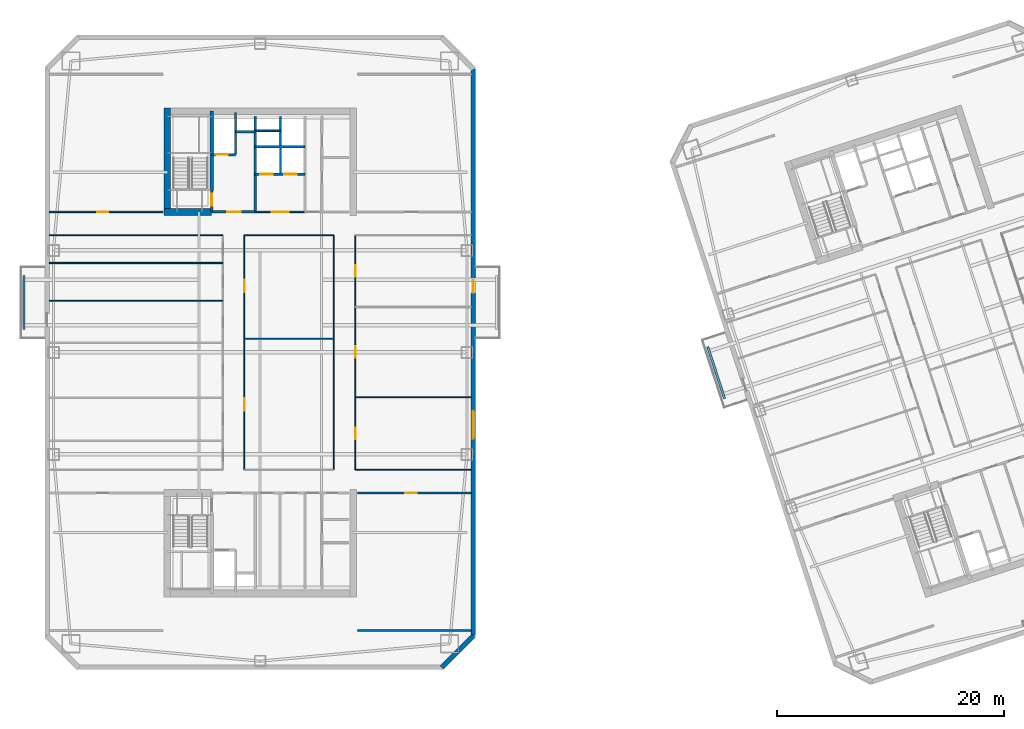
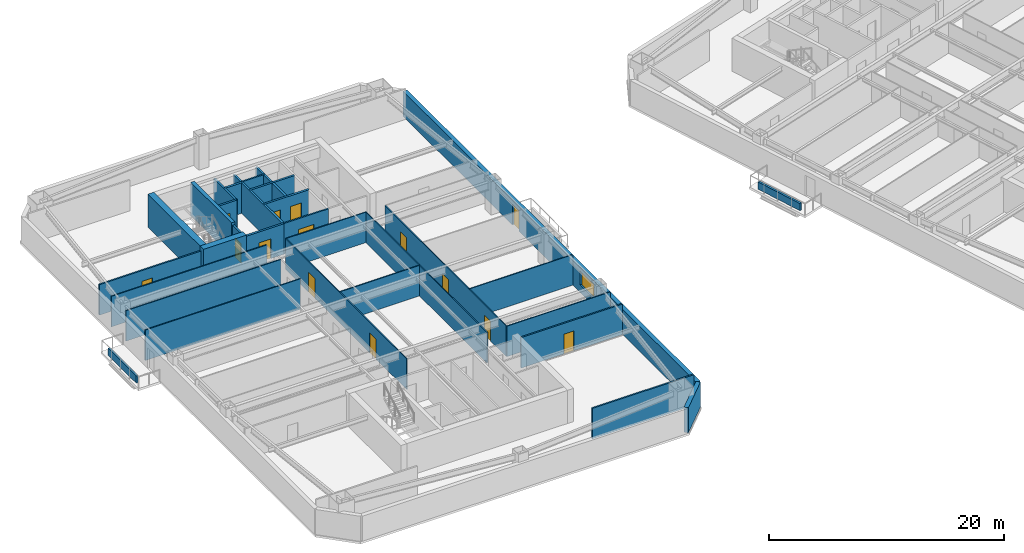
# One storey, part 5 of 15: 31 walls, 14 doors, 1 window, 15 openings.
"""IFC4 building model written with IfcOpenShell, lengths in metres."""

import ifcopenshell
import ifcopenshell.guid

model = None  # the IFC model being written
_history = None  # IfcOwnerHistory: only IFC2X3 demands one
_inside = {}  # id of a spatial element -> (the spatial element, [elements in it])
_under = {}  # id of a project, library or spatial element -> (it, [spatial elements below it])
_declared = {}  # id of a project -> (the project, [libraries it declares])
_typed = {}  # id of a type object -> (the type object, [elements of that type])
_made_of = {}  # id of a material, layer set ... -> (it, [elements and type objects made of it])


def new_model(schema):
    """Start an empty IFC model of exactly this schema.

    Asked for "IFC4X3", IfcOpenShell would pick the latest addendum, in which some entities
    have other attributes; the version numbers below select the first issue.
    IFC2X3 requires an IfcOwnerHistory on every rooted entity: one is made here for all.
    """
    global model, _history
    if schema == "IFC4X3":
        model = ifcopenshell.file(schema_version=(4, 3, 0, 0))
    else:
        model = ifcopenshell.file(schema=schema)
    _inside.clear()
    _under.clear()
    _declared.clear()
    _typed.clear()
    _made_of.clear()
    _history = None
    if model.schema == "IFC2X3":
        org = make("IfcOrganization", Name="unknown")
        user = make(
            "IfcPersonAndOrganization",
            ThePerson=make("IfcPerson", FamilyName="unknown"),
            TheOrganization=org,
        )
        app = make(
            "IfcApplication",
            ApplicationDeveloper=org,
            Version="unknown",
            ApplicationFullName="unknown",
            ApplicationIdentifier="unknown",
        )
        _history = make(
            "IfcOwnerHistory",
            OwningUser=user,
            OwningApplication=app,
            ChangeAction="ADDED",
            CreationDate=0,
        )
    return model


def make(cls, **values):
    """One entity of the class cls with the attributes given. An attribute that is None is left unset."""
    return model.create_entity(
        cls, **{name: value for name, value in values.items() if value is not None}
    )


def rooted(cls, **values):
    """An entity with a GlobalId (a new one), such as an element, a storey or a relation."""
    return make(cls, GlobalId=ifcopenshell.guid.new(), OwnerHistory=_history, **values)


def si_unit(unit_type, name, prefix=None):
    """IfcSIUnit, for example si_unit("LENGTHUNIT", "METRE", prefix="MILLI")."""
    return make("IfcSIUnit", UnitType=unit_type, Prefix=prefix, Name=name)


def assignment(units):
    """IfcUnitAssignment: the units of a project."""
    return None if units is None else make("IfcUnitAssignment", Units=units)


def point(xyz):
    """IfcCartesianPoint."""
    return None if xyz is None else make("IfcCartesianPoint", Coordinates=xyz)


def direction(xyz):
    """IfcDirection."""
    return None if xyz is None else make("IfcDirection", DirectionRatios=xyz)


def frame(location, z_axis=None, x_axis=None):
    """IfcAxis2Placement3D, a coordinate frame: its origin and axes. An axis left out is left unset."""
    return make(
        "IfcAxis2Placement3D",
        Location=point(location),
        Axis=direction(z_axis),
        RefDirection=direction(x_axis),
    )


def frame_2d(location, x_axis=None):
    """IfcAxis2Placement2D, a coordinate frame in the plane: its origin and x axis."""
    return make(
        "IfcAxis2Placement2D", Location=point(location), RefDirection=direction(x_axis)
    )


def origin():
    """The frame at (0, 0, 0) with its axes left unset."""
    return frame((0.0, 0.0, 0.0))


def place(relative_to, where):
    """IfcLocalPlacement: puts the frame where relative to a parent placement (None: the world)."""
    return make(
        "IfcLocalPlacement", PlacementRelTo=relative_to, RelativePlacement=where
    )


def context(
    kind, dimensions, precision=None, world=None, true_north=None, identifier=None
):
    """IfcGeometricRepresentationContext, for example the 3D "Model" context."""
    return make(
        "IfcGeometricRepresentationContext",
        ContextIdentifier=identifier,
        ContextType=kind,
        CoordinateSpaceDimension=dimensions,
        Precision=precision,
        WorldCoordinateSystem=world,
        TrueNorth=true_north,
    )


def subcontext(parent, identifier, kind, view, scale=None):
    """IfcGeometricRepresentationSubContext, for example "Body" below "Model"."""
    return make(
        "IfcGeometricRepresentationSubContext",
        ContextIdentifier=identifier,
        ContextType=kind,
        ParentContext=parent,
        TargetScale=scale,
        TargetView=view,
    )


def project(units=None, contexts=None):
    """IfcProject with its units and contexts."""
    return rooted(
        "IfcProject",
        Name="project",
        RepresentationContexts=contexts,
        UnitsInContext=assignment(units),
    )


def spatial(cls, under=None, at=None, **own):
    """A site, building, storey or space (cls), placed at a placement, below another one or the project."""
    s = rooted(cls, ObjectPlacement=at, **own)
    if under is not None:
        _under.setdefault(under.id(), (under, []))[1].append(s)
    return s


def profile(cls, at=None, kind="AREA", **sizes):
    """A parametric profile (cls). Its sizes go by their IFC names, for example OverallWidth=200.0."""
    return make(cls, ProfileType=kind, Position=at, **sizes)


def rectangle(**sizes):
    """IfcRectangleProfileDef."""
    return profile("IfcRectangleProfileDef", **sizes)


def extrude(swept, where, along, depth):
    """IfcExtrudedAreaSolid: the profile swept, set in the frame where, extruded along a direction by depth."""
    return make(
        "IfcExtrudedAreaSolid",
        SweptArea=swept,
        Position=where,
        ExtrudedDirection=direction(along),
        Depth=depth,
    )


def shape(context_of_items, identifier, shape_type, items):
    """IfcShapeRepresentation: the items that make up one representation, for example the "Body"."""
    return make(
        "IfcShapeRepresentation",
        ContextOfItems=context_of_items,
        RepresentationIdentifier=identifier,
        RepresentationType=shape_type,
        Items=items,
    )


def material(Name=None, Category=None):
    """IfcMaterial."""
    return make("IfcMaterial", Name=Name, Category=Category)


def layer(
    of_material, thickness, ventilated=None, Name=None, Category=None, Priority=None
):
    """IfcMaterialLayer: one layer of a wall or slab, of a material (None: an air gap)."""
    return make(
        "IfcMaterialLayer",
        Material=of_material,
        LayerThickness=thickness,
        IsVentilated=ventilated,
        Name=Name,
        Category=Category,
        Priority=Priority,
    )


def layer_set(layers, Name=None):
    """IfcMaterialLayerSet."""
    return make("IfcMaterialLayerSet", MaterialLayers=layers, LayerSetName=Name)


def made_of(thing, what):
    """Note that an element or type object is made of a material, layer set ...; save() writes the relation."""
    if what is not None:
        _made_of.setdefault(what.id(), (what, []))[1].append(thing)
    return thing


def type_object(cls, material=None, **own):
    """A type object (cls), such as IfcWallType, which elements share."""
    return made_of(rooted(cls, **own), material)


def element(
    cls,
    number,
    at=None,
    inside=None,
    cuts=None,
    type_object=None,
    material=None,
    context=None,
    identifier="Body",
    shape_type=None,
    held_by="IfcProductDefinitionShape",
    body=None,
    shapes=None,
    **own,
):
    """One element of the class cls, such as IfcWall. Its Tag is "e" and its number.

    at: its placement. inside: the storey or other place that contains it. cuts: it is an
    opening in that element (IfcRelVoidsElement). A single representation is given by context,
    identifier, shape_type and body (its items); several are given by shapes. held_by: the class
    of the entity that holds the representations. save() writes the other relations.
    """
    e = rooted(cls, Tag="e%d" % number, ObjectPlacement=at, **own)
    if body is not None:
        shapes = [shape(context, identifier, shape_type, body)]
    if shapes is not None:
        e.Representation = make(held_by, Representations=shapes)
    if inside is not None:
        _inside.setdefault(inside.id(), (inside, []))[1].append(e)
    if cuts is not None:
        rooted(
            "IfcRelVoidsElement", RelatingBuildingElement=cuts, RelatedOpeningElement=e
        )
    if type_object is not None:
        _typed.setdefault(type_object.id(), (type_object, []))[1].append(e)
    return made_of(e, material)


def fill(opening, filler):
    """IfcRelFillsElement: the door or window that sits in an opening."""
    return rooted(
        "IfcRelFillsElement",
        RelatingOpeningElement=opening,
        RelatedBuildingElement=filler,
    )


def aggregate(whole, parts):
    """IfcRelAggregates: a whole, such as a stair, and the parts it consists of."""
    return rooted("IfcRelAggregates", RelatingObject=whole, RelatedObjects=parts)


def save(model, path):
    """Write the relations noted so far, then the file.

    IfcRelAggregates (storeys below a building ...), IfcRelContainedInSpatialStructure (elements
    in a storey), IfcRelDefinesByType, IfcRelAssociatesMaterial and IfcRelDeclares: one each for
    every whole, place, type object, material and project.
    """
    for whole, parts in _under.values():
        aggregate(whole, parts)
    for where, things in _inside.values():
        rooted(
            "IfcRelContainedInSpatialStructure",
            RelatedElements=things,
            RelatingStructure=where,
        )
    for kind, things in _typed.values():
        rooted("IfcRelDefinesByType", RelatedObjects=things, RelatingType=kind)
    for what, things in _made_of.values():
        rooted("IfcRelAssociatesMaterial", RelatedObjects=things, RelatingMaterial=what)
    for by, libraries in _declared.values():
        rooted("IfcRelDeclares", RelatingContext=by, RelatedDefinitions=libraries)
    model.write(path)


model = new_model("IFC4")

# Units and contexts
model_context = context("Model", 3, precision=1e-05, world=origin(), true_north=direction((0.0, 1.0)))
body_context = subcontext(model_context, "Body", "Model", "MODEL_VIEW")
ifc_project = project(units=[si_unit("LENGTHUNIT", "METRE"), si_unit("AREAUNIT", "SQUARE_METRE"), si_unit("VOLUMEUNIT", "CUBIC_METRE"), si_unit("PLANEANGLEUNIT", "RADIAN"), si_unit("MASSUNIT", "GRAM", prefix="KILO")], contexts=[model_context])

# Site, building, storey
site_placement = place(None, origin())
site = spatial("IfcSite", under=ifc_project, at=site_placement, CompositionType="ELEMENT")
building_placement = place(site_placement, origin())
building = spatial("IfcBuilding", under=site, at=building_placement, Name="Qiaolan Cultural Towers", CompositionType="ELEMENT")
storey_placement = place(building_placement, frame((0.0, 0.0, 113.85009765625)))
storey = spatial("IfcBuildingStorey", under=building, at=storey_placement, Name="L29", CompositionType="ELEMENT", Elevation=113.85009765625)

# Walls
ifc_material_1 = material(Name="Concrete C50", Category="concrete")
ifc_layer_1 = layer(ifc_material_1, 0.35009765625)
ifc_layer_set_1 = layer_set([ifc_layer_1], Name="Concrete C50")
wall_type_1 = type_object("IfcWallType", Name="WL-CORE-350", PredefinedType="SHEAR", material=ifc_layer_set_1)
wall_1_placement = place(storey_placement, frame((25.719970703125, 48.300048828125, 0.0), z_axis=(0.0, 0.0, 1.0), x_axis=(0.0, 1.0, 0.0)))
element("IfcWall", 1, at=wall_1_placement, inside=storey, type_object=wall_type_1, Name="L29 T1-CN Stair Core Dividing Web", PredefinedType="SHEAR", context=body_context, shape_type="SweptSolid", body=[
    extrude(rectangle(XDim=6.97998046875, YDim=0.35009765625, at=frame_2d((3.489990234375, 0.0))), origin(), (0.0, 0.0, 1.0), 3.449951171875),
])
ifc_material_2 = material(Name="Concrete C55", Category="concrete")
ifc_layer_2 = layer(ifc_material_2, 0.60009765625)
ifc_layer_set_2 = layer_set([ifc_layer_2], Name="Concrete C55")
wall_type_2 = type_object("IfcWallType", Name="WL-CORE-600", PredefinedType="SHEAR", material=ifc_layer_set_2)
wall_2_placement = place(storey_placement, frame((21.800048828125, 46.10009765625, 0.0), z_axis=(0.0, 0.0, 1.0), x_axis=(0.0, 1.0, 0.0)))
element("IfcWall", 2, at=wall_2_placement, inside=storey, type_object=wall_type_2, Name="L29 T1-CN West Core Shear Wall", PredefinedType="SHEAR", context=body_context, shape_type="SweptSolid", body=[
    extrude(rectangle(XDim=9.47998046875, YDim=0.60009765625, at=frame_2d((4.739990234375, 0.0))), origin(), (0.0, 0.0, 1.0), 3.449951171875),
])
wall_3_placement = place(storey_placement, frame((21.5, 46.39990234375, 0.0), z_axis=(0.0, 0.0, 1.0), x_axis=(1.0, 0.0, 0.0)))
element("IfcWall", 3, at=wall_3_placement, inside=storey, type_object=wall_type_2, Name="L29 T1-CN Stair Front Shear Wall", PredefinedType="SHEAR", context=body_context, shape_type="SweptSolid", body=[
    extrude(rectangle(XDim=4.219970703125, YDim=0.60009765625, at=frame_2d((2.10986328125, 0.0))), origin(), (0.0, 0.0, 1.0), 3.449951171875),
])

# Wall, openings, door, window
ifc_material_3 = material(Name="Precast Concrete C50 Honed Stone Pier", Category="masonry")
ifc_layer_3 = layer(ifc_material_3, 0.39990234375)
ifc_layer_set_3 = layer_set([ifc_layer_3], Name="Precast Concrete C50 Honed Stone Pier")
wall_type_3 = type_object("IfcWallType", Name="WL-EXT-PIER-400", PredefinedType="SOLIDWALL", material=ifc_layer_set_3)
wall_4_placement = place(storey_placement, frame((48.800048828125, 59.0, 0.0), z_axis=(0.0, 0.0, 1.0), x_axis=(0.0, -1.0, 0.0)))
wall_4 = element("IfcWall", 4, at=wall_4_placement, inside=storey, type_object=wall_type_3, Name="L29 West Tower Precast Pier Facade Wall F5", PredefinedType="SOLIDWALL", context=body_context, shape_type="SweptSolid", body=[
    extrude(rectangle(XDim=50.0, YDim=0.39990234375, at=frame_2d((25.0, 0.0))), origin(), (0.0, 0.0, 1.0), 2.60986328125),
])
opening_1_placement = place(wall_4_placement, frame((30.199951171875, 0.0, 0.75)))
opening_1 = element("IfcOpeningElement", 5, at=opening_1_placement, cuts=wall_4, Name="Opening W-02", PredefinedType="OPENING", context=body_context, shape_type="SweptSolid", body=[
    extrude(rectangle(XDim=2.39990234375, YDim=1.4599609375, at=frame_2d((1.199951171875, 0.72998046875))), frame((0.0, 0.2099609375, 0.0), z_axis=(0.0, -1.0, 0.0), x_axis=(1.0, 0.0, 0.0)), (0.0, 0.0, 1.0), 0.419921875),
])
opening_2_placement = place(wall_4_placement, frame((18.64990234375, 0.0, 0.0)))
opening_2 = element("IfcOpeningElement", 6, at=opening_2_placement, cuts=wall_4, Name="Opening BD-01", PredefinedType="OPENING", context=body_context, shape_type="SweptSolid", body=[
    extrude(rectangle(XDim=1.10009765625, YDim=2.14990234375, at=frame_2d((0.550048828125, 1.074951171875))), frame((0.0, 0.2099609375, 0.0), z_axis=(0.0, -1.0, 0.0), x_axis=(1.0, 0.0, 0.0)), (0.0, 0.0, 1.0), 0.419921875),
])
ifc_material_4 = material(Name="Thermally Broken Aluminium Glazed Terrace Door", Category="aluminium")
door_type_1 = type_object("IfcDoorType", Name="DR-BAL-1100", OperationType="NOTDEFINED", PredefinedType="DOOR", material=ifc_material_4)
door_1_placement = place(opening_2_placement, origin())
door_1 = element("IfcDoor", 7, at=door_1_placement, inside=storey, type_object=door_type_1, Name="L29 T1 East Tree Balcony Door", OperationType="SINGLE_SWING_RIGHT", OverallHeight=2.14990234375, OverallWidth=1.10009765625, PredefinedType="DOOR", context=body_context, shape_type="SweptSolid", body=[
    extrude(rectangle(XDim=1.10009765625, YDim=2.14990234375, at=frame_2d((0.550048828125, 1.074951171875))), frame((0.0, 0.02490234375, 0.0), z_axis=(0.0, -1.0, 0.0), x_axis=(1.0, 0.0, 0.0)), (0.0, 0.0, 1.0), 0.050048828125),
])
fill(opening_2, door_1)
ifc_material_5 = material(Name="Thermally Broken Aluminium Triple Low-E Glazing", Category="aluminium")
window_type = type_object("IfcWindowType", Name="WN-CHIC-2400", PartitioningType="SINGLE_PANEL", PredefinedType="WINDOW", material=ifc_material_5)
window_placement = place(opening_1_placement, origin())
window = element("IfcWindow", 8, at=window_placement, inside=storey, type_object=window_type, Name="L29 T1 E Chicago Bay Window 1", OverallHeight=1.4599609375, OverallWidth=2.39990234375, PartitioningType="TRIPLE_PANEL_VERTICAL", PredefinedType="WINDOW", context=body_context, shape_type="SweptSolid", body=[
    extrude(rectangle(XDim=2.39990234375, YDim=1.4599609375, at=frame_2d((1.199951171875, 0.72998046875))), frame((0.0, 0.030029296875, 0.0), z_axis=(0.0, -1.0, 0.0), x_axis=(1.0, 0.0, 0.0)), (0.0, 0.0, 1.0), 0.06005859375),
])
fill(opening_1, window)

# Wall
wall_5_placement = place(storey_placement, frame((48.800048828125, 9.0, 0.0), z_axis=(0.0, 0.0, 1.0), x_axis=(-0.707106781187, -0.707106781187, 0.0)))
element("IfcWall", 9, at=wall_5_placement, inside=storey, type_object=wall_type_3, Name="L29 West Tower Precast Pier Facade Wall F6", PredefinedType="SOLIDWALL", context=body_context, shape_type="SweptSolid", body=[
    extrude(rectangle(XDim=3.9599609375, YDim=0.39990234375, at=frame_2d((1.97998046875, 0.0))), origin(), (0.0, 0.0, 1.0), 2.60986328125),
])

# Wall, opening, door
ifc_material_6 = material(Name="Concrete C35 Fire Wall", Category="concrete")
ifc_layer_4 = layer(ifc_material_6, 0.199951171875)
ifc_layer_set_4 = layer_set([ifc_layer_4], Name="Concrete C35 Fire Wall")
wall_type_4 = type_object("IfcWallType", Name="WL-FIRE-200", PredefinedType="PARTITIONING", material=ifc_layer_set_4)
wall_6_placement = place(storey_placement, frame((25.719970703125, 46.39990234375, 0.0), z_axis=(0.0, 0.0, 1.0), x_axis=(0.0, 1.0, 0.0)))
wall_6 = element("IfcWall", 10, at=wall_6_placement, inside=storey, type_object=wall_type_4, Name="L29 T1-CN Smokeproof Stair Entry Wall", PredefinedType="PARTITIONING", context=body_context, shape_type="SweptSolid", body=[
    extrude(rectangle(XDim=1.900146484375, YDim=0.199951171875, at=frame_2d((0.9501953125, 0.0))), origin(), (0.0, 0.0, 1.0), 3.1748046875),
])
opening_3_placement = place(wall_6_placement, frame((0.52001953125, 0.0, 0.0)))
opening_3 = element("IfcOpeningElement", 11, at=opening_3_placement, cuts=wall_6, Name="Opening FD-04", PredefinedType="OPENING", context=body_context, shape_type="SweptSolid", body=[
    extrude(rectangle(XDim=1.10009765625, YDim=2.050048828125, at=frame_2d((0.550048828125, 1.02490234375))), frame((0.0, 0.10986328125, 0.0), z_axis=(0.0, -1.0, 0.0), x_axis=(1.0, 0.0, 0.0)), (0.0, 0.0, 1.0), 0.219970703125),
])
ifc_material_7 = material(Name="Galvanized Steel Command Fire Door", Category="steel")
door_type_2 = type_object("IfcDoorType", Name="DR-FD90-1100", OperationType="NOTDEFINED", PredefinedType="DOOR", material=ifc_material_7)
door_2_placement = place(opening_3_placement, origin())
door_2 = element("IfcDoor", 12, at=door_2_placement, inside=storey, type_object=door_type_2, Name="L29 ST-W2 Smokeproof Stair Fire Door", OperationType="SINGLE_SWING_LEFT", OverallHeight=2.050048828125, OverallWidth=1.10009765625, PredefinedType="DOOR", context=body_context, shape_type="SweptSolid", body=[
    extrude(rectangle(XDim=1.10009765625, YDim=2.050048828125, at=frame_2d((0.550048828125, 1.02490234375))), frame((0.0, 0.02490234375, 0.0), z_axis=(0.0, -1.0, 0.0), x_axis=(1.0, 0.0, 0.0)), (0.0, 0.0, 1.0), 0.050048828125),
])
fill(opening_3, door_2)

# Wall
wall_7_placement = place(storey_placement, frame((29.550048828125, 46.39990234375, 0.0), z_axis=(0.0, 0.0, 1.0), x_axis=(0.0, 1.0, 0.0)))
element("IfcWall", 13, at=wall_7_placement, inside=storey, type_object=wall_type_4, Name="L29 T1-CN Firefighting Zone Wall", PredefinedType="PARTITIONING", context=body_context, shape_type="SweptSolid", body=[
    extrude(rectangle(XDim=8.43017578125, YDim=0.199951171875, at=frame_2d((4.215087890625, 0.0))), origin(), (0.0, 0.0, 1.0), 3.1748046875),
])

# Wall, opening, door
wall_8_placement = place(storey_placement, frame((25.719970703125, 46.39990234375, 0.0), z_axis=(0.0, 0.0, 1.0), x_axis=(1.0, 0.0, 0.0)))
wall_8 = element("IfcWall", 14, at=wall_8_placement, inside=storey, type_object=wall_type_4, Name="L29 T1-CN Firefighting Lobby Front Wall", PredefinedType="PARTITIONING", context=body_context, shape_type="SweptSolid", body=[
    extrude(rectangle(XDim=3.830078125, YDim=0.199951171875, at=frame_2d((1.9150390625, 0.0))), origin(), (0.0, 0.0, 1.0), 3.1748046875),
])
opening_4_placement = place(wall_8_placement, frame((1.35009765625, 0.0, 0.0)))
opening_4 = element("IfcOpeningElement", 15, at=opening_4_placement, cuts=wall_8, Name="Opening FD-03", PredefinedType="OPENING", context=body_context, shape_type="SweptSolid", body=[
    extrude(rectangle(XDim=1.199951171875, YDim=2.050048828125, at=frame_2d((0.60009765625, 1.02490234375))), frame((0.0, 0.10986328125, 0.0), z_axis=(0.0, -1.0, 0.0), x_axis=(1.0, 0.0, 0.0)), (0.0, 0.0, 1.0), 0.219970703125),
])
ifc_material_8 = material(Name="Galvanized Steel Smokeproof Lobby Fire Door", Category="steel")
door_type_3 = type_object("IfcDoorType", Name="DR-FD90-1200", OperationType="NOTDEFINED", PredefinedType="DOOR", material=ifc_material_8)
door_3_placement = place(opening_4_placement, origin())
door_3 = element("IfcDoor", 16, at=door_3_placement, inside=storey, type_object=door_type_3, Name="L29 FFL-W2 Firefighting Lobby Fire Door", OperationType="SINGLE_SWING_LEFT", OverallHeight=2.050048828125, OverallWidth=1.199951171875, PredefinedType="DOOR", context=body_context, shape_type="SweptSolid", body=[
    extrude(rectangle(XDim=1.199951171875, YDim=2.050048828125, at=frame_2d((0.60009765625, 1.02490234375))), frame((0.0, 0.02490234375, 0.0), z_axis=(0.0, -1.0, 0.0), x_axis=(1.0, 0.0, 0.0)), (0.0, 0.0, 1.0), 0.050048828125),
])
fill(opening_4, door_3)

wall_9_placement = place(storey_placement, frame((25.719970703125, 51.449951171875, 0.0), z_axis=(0.0, 0.0, 1.0), x_axis=(1.0, 0.0, 0.0)))
wall_9 = element("IfcWall", 17, at=wall_9_placement, inside=storey, type_object=wall_type_4, Name="L29 T1-CN Firefighting Shaft Front Wall", PredefinedType="PARTITIONING", context=body_context, shape_type="SweptSolid", body=[
    extrude(rectangle(XDim=2.10009765625, YDim=0.199951171875, at=frame_2d((1.050048828125, 0.0))), origin(), (0.0, 0.0, 1.0), 3.1748046875),
])
opening_5_placement = place(wall_9_placement, frame((0.35009765625, 0.0, 0.0)))
opening_5 = element("IfcOpeningElement", 18, at=opening_5_placement, cuts=wall_9, Name="Opening LD-01", PredefinedType="OPENING", context=body_context, shape_type="SweptSolid", body=[
    extrude(rectangle(XDim=1.10009765625, YDim=2.050048828125, at=frame_2d((0.550048828125, 1.02490234375))), frame((0.0, 0.10986328125, 0.0), z_axis=(0.0, -1.0, 0.0), x_axis=(1.0, 0.0, 0.0)), (0.0, 0.0, 1.0), 0.219970703125),
])
ifc_material_9 = material(Name="Brushed Stainless Steel S30408 Centre-Parting Lift Landing Door", Category="steel")
door_type_4 = type_object("IfcDoorType", Name="DR-LIFT-1100", OperationType="NOTDEFINED", PredefinedType="DOOR", material=ifc_material_9)
door_4_placement = place(opening_5_placement, origin())
door_4 = element("IfcDoor", 19, at=door_4_placement, inside=storey, type_object=door_type_4, Name="L29 FFL-W2 Firefighting Lift Landing Door", OperationType="DOUBLE_DOOR_SLIDING", OverallHeight=2.050048828125, OverallWidth=1.10009765625, PredefinedType="DOOR", context=body_context, shape_type="SweptSolid", body=[
    extrude(rectangle(XDim=1.10009765625, YDim=2.050048828125, at=frame_2d((0.550048828125, 1.02490234375))), frame((0.0, 0.02490234375, 0.0), z_axis=(0.0, -1.0, 0.0), x_axis=(1.0, 0.0, 0.0)), (0.0, 0.0, 1.0), 0.050048828125),
])
fill(opening_5, door_4)

# Walls
wall_10_placement = place(storey_placement, frame((27.820068359375, 51.449951171875, 0.0), z_axis=(0.0, 0.0, 1.0), x_axis=(0.0, 1.0, 0.0)))
element("IfcWall", 20, at=wall_10_placement, inside=storey, type_object=wall_type_4, Name="L29 T1-CN Firefighting Hoistway East Wall", PredefinedType="PARTITIONING", context=body_context, shape_type="SweptSolid", body=[
    extrude(rectangle(XDim=3.699951171875, YDim=0.199951171875, at=frame_2d((1.85009765625, 0.0))), origin(), (0.0, 0.0, 1.0), 3.1748046875),
])
wall_11_placement = place(storey_placement, frame((27.820068359375, 53.47998046875, 0.0), z_axis=(0.0, 0.0, 1.0), x_axis=(1.0, 0.0, 0.0)))
element("IfcWall", 21, at=wall_11_placement, inside=storey, type_object=wall_type_4, Name="L29 T1-CN Pressurization Shaft Front Wall", PredefinedType="PARTITIONING", context=body_context, shape_type="SweptSolid", body=[
    extrude(rectangle(XDim=1.72998046875, YDim=0.199951171875, at=frame_2d((0.864990234375, 0.0))), origin(), (0.0, 0.0, 1.0), 3.1748046875),
])

# Wall, openings, doors
wall_12_placement = place(storey_placement, frame((29.550048828125, 49.719970703125, 0.0), z_axis=(0.0, 0.0, 1.0), x_axis=(1.0, 0.0, 0.0)))
wall_12 = element("IfcWall", 22, at=wall_12_placement, inside=storey, type_object=wall_type_4, Name="L29 T1-CN Passenger Lift Shaft Front Wall", PredefinedType="PARTITIONING", context=body_context, shape_type="SweptSolid", body=[
    extrude(rectangle(XDim=4.39990234375, YDim=0.199951171875, at=frame_2d((2.199951171875, 0.0))), origin(), (0.0, 0.0, 1.0), 3.1748046875),
])
opening_6_placement = place(wall_12_placement, frame((0.449951171875, 0.0, 0.0)))
opening_6 = element("IfcOpeningElement", 23, at=opening_6_placement, cuts=wall_12, Name="Opening LD-01", PredefinedType="OPENING", context=body_context, shape_type="SweptSolid", body=[
    extrude(rectangle(XDim=1.10009765625, YDim=2.050048828125, at=frame_2d((0.550048828125, 1.02490234375))), frame((0.0, 0.10986328125, 0.0), z_axis=(0.0, -1.0, 0.0), x_axis=(1.0, 0.0, 0.0)), (0.0, 0.0, 1.0), 0.219970703125),
])
opening_7_placement = place(wall_12_placement, frame((2.550048828125, 0.0, 0.0)))
opening_7 = element("IfcOpeningElement", 24, at=opening_7_placement, cuts=wall_12, Name="Opening LD-01", PredefinedType="OPENING", context=body_context, shape_type="SweptSolid", body=[
    extrude(rectangle(XDim=1.10009765625, YDim=2.050048828125, at=frame_2d((0.550048828125, 1.02490234375))), frame((0.0, 0.10986328125, 0.0), z_axis=(0.0, -1.0, 0.0), x_axis=(1.0, 0.0, 0.0)), (0.0, 0.0, 1.0), 0.219970703125),
])
door_5_placement = place(opening_6_placement, origin())
door_5 = element("IfcDoor", 25, at=door_5_placement, inside=storey, type_object=door_type_4, Name="L29 Passenger Lift 1 Landing Door", OperationType="DOUBLE_DOOR_SLIDING", OverallHeight=2.050048828125, OverallWidth=1.10009765625, PredefinedType="DOOR", context=body_context, shape_type="SweptSolid", body=[
    extrude(rectangle(XDim=1.10009765625, YDim=2.050048828125, at=frame_2d((0.550048828125, 1.02490234375))), frame((0.0, 0.02490234375, 0.0), z_axis=(0.0, -1.0, 0.0), x_axis=(1.0, 0.0, 0.0)), (0.0, 0.0, 1.0), 0.050048828125),
])
fill(opening_6, door_5)
door_6_placement = place(opening_7_placement, origin())
door_6 = element("IfcDoor", 26, at=door_6_placement, inside=storey, type_object=door_type_4, Name="L29 Passenger Lift 2 Landing Door", OperationType="DOUBLE_DOOR_SLIDING", OverallHeight=2.050048828125, OverallWidth=1.10009765625, PredefinedType="DOOR", context=body_context, shape_type="SweptSolid", body=[
    extrude(rectangle(XDim=1.10009765625, YDim=2.050048828125, at=frame_2d((0.550048828125, 1.02490234375))), frame((0.0, 0.02490234375, 0.0), z_axis=(0.0, -1.0, 0.0), x_axis=(1.0, 0.0, 0.0)), (0.0, 0.0, 1.0), 0.050048828125),
])
fill(opening_7, door_6)

# Walls
wall_13_placement = place(storey_placement, frame((31.780029296875, 49.719970703125, 0.0), z_axis=(0.0, 0.0, 1.0), x_axis=(0.0, 1.0, 0.0)))
element("IfcWall", 27, at=wall_13_placement, inside=storey, type_object=wall_type_4, Name="L29 T1-CN Lift Shaft Divider Wall", PredefinedType="PARTITIONING", context=body_context, shape_type="SweptSolid", body=[
    extrude(rectangle(XDim=5.110107421875, YDim=0.199951171875, at=frame_2d((2.55517578125, 0.0))), origin(), (0.0, 0.0, 1.0), 3.1748046875),
])
wall_14_placement = place(storey_placement, frame((29.550048828125, 52.14990234375, 0.0), z_axis=(0.0, 0.0, 1.0), x_axis=(1.0, 0.0, 0.0)))
element("IfcWall", 28, at=wall_14_placement, inside=storey, type_object=wall_type_4, Name="L29 T1-CN Passenger Lift Shaft Back Wall", PredefinedType="PARTITIONING", context=body_context, shape_type="SweptSolid", body=[
    extrude(rectangle(XDim=4.39990234375, YDim=0.199951171875, at=frame_2d((2.199951171875, 0.0))), origin(), (0.0, 0.0, 1.0), 3.1748046875),
])
ifc_material_10 = material(Name="Acoustic Double-Glazed Partition Frame", Category="glass")
ifc_layer_5 = layer(ifc_material_10, 0.10009765625)
ifc_layer_set_5 = layer_set([ifc_layer_5], Name="Acoustic Double-Glazed Partition Frame")
wall_type_5 = type_object("IfcWallType", Name="WL-GLAZED-100", PredefinedType="MOVABLE", material=ifc_layer_set_5)
wall_15_placement = place(storey_placement, frame((38.39990234375, 23.64990234375, 0.0), z_axis=(0.0, 0.0, 1.0), x_axis=(1.0, 0.0, 0.0)))
element("IfcWall", 29, at=wall_15_placement, inside=storey, type_object=wall_type_5, Name="L29 T1 Interior Wall", PredefinedType="MOVABLE", context=body_context, shape_type="SweptSolid", body=[
    extrude(rectangle(XDim=10.2001953125, YDim=0.10009765625, at=frame_2d((5.10009765625, 0.0))), origin(), (0.0, 0.0, 1.0), 3.1748046875),
])
wall_16_placement = place(storey_placement, frame((11.39990234375, 44.35009765625, 0.0), z_axis=(0.0, 0.0, 1.0), x_axis=(1.0, 0.0, 0.0)))
element("IfcWall", 30, at=wall_16_placement, inside=storey, type_object=wall_type_5, Name="L29 T1 Interior Wall", PredefinedType="MOVABLE", context=body_context, shape_type="SweptSolid", body=[
    extrude(rectangle(XDim=15.300048828125, YDim=0.10009765625, at=frame_2d((7.64990234375, 0.0))), origin(), (0.0, 0.0, 1.0), 3.1748046875),
])
wall_17_placement = place(storey_placement, frame((28.60009765625, 44.35009765625, 0.0), z_axis=(0.0, 0.0, 1.0), x_axis=(1.0, 0.0, 0.0)))
element("IfcWall", 31, at=wall_17_placement, inside=storey, type_object=wall_type_5, Name="L29 T1 Interior Wall", PredefinedType="MOVABLE", context=body_context, shape_type="SweptSolid", body=[
    extrude(rectangle(XDim=7.89990234375, YDim=0.10009765625, at=frame_2d((3.949951171875, 0.0))), origin(), (0.0, 0.0, 1.0), 3.1748046875),
])

# Wall, openings, doors
wall_18_placement = place(storey_placement, frame((28.60009765625, 23.64990234375, 0.0), z_axis=(0.0, 0.0, 1.0), x_axis=(0.0, 1.0, 0.0)))
wall_18 = element("IfcWall", 32, at=wall_18_placement, inside=storey, type_object=wall_type_5, Name="L29 T1 Interior Wall", PredefinedType="MOVABLE", context=body_context, shape_type="SweptSolid", body=[
    extrude(rectangle(XDim=20.7001953125, YDim=0.10009765625, at=frame_2d((10.35009765625, 0.0))), origin(), (0.0, 0.0, 1.0), 3.1748046875),
])
opening_8_placement = place(wall_18_placement, frame((5.197509765625, 0.0, 0.0)))
opening_8 = element("IfcOpeningElement", 33, at=opening_8_placement, cuts=wall_18, Name="Opening ID-03", PredefinedType="OPENING", context=body_context, shape_type="SweptSolid", body=[
    extrude(rectangle(XDim=1.10009765625, YDim=2.050048828125, at=frame_2d((0.550048828125, 1.02490234375))), frame((0.0, 0.06005859375, 0.0), z_axis=(0.0, -1.0, 0.0), x_axis=(1.0, 0.0, 0.0)), (0.0, 0.0, 1.0), 0.1201171875),
])
opening_9_placement = place(wall_18_placement, frame((15.66748046875, 0.0, 0.0)))
opening_9 = element("IfcOpeningElement", 34, at=opening_9_placement, cuts=wall_18, Name="Opening ID-03", PredefinedType="OPENING", context=body_context, shape_type="SweptSolid", body=[
    extrude(rectangle(XDim=1.10009765625, YDim=2.050048828125, at=frame_2d((0.550048828125, 1.02490234375))), frame((0.0, 0.06005859375, 0.0), z_axis=(0.0, -1.0, 0.0), x_axis=(1.0, 0.0, 0.0)), (0.0, 0.0, 1.0), 0.1201171875),
])
ifc_material_11 = material(Name="Oak Veneer Solid-Core Boardroom Door", Category="timber")
door_type_5 = type_object("IfcDoorType", Name="DR-INT-1100", OperationType="NOTDEFINED", PredefinedType="DOOR", material=ifc_material_11)
door_7_placement = place(opening_8_placement, origin())
door_7 = element("IfcDoor", 35, at=door_7_placement, inside=storey, type_object=door_type_5, Name="L29 T1 Central Boardroom Door", OperationType="SINGLE_SWING_LEFT", OverallHeight=2.050048828125, OverallWidth=1.10009765625, PredefinedType="DOOR", context=body_context, shape_type="SweptSolid", body=[
    extrude(rectangle(XDim=1.10009765625, YDim=2.050048828125, at=frame_2d((0.550048828125, 1.02490234375))), frame((0.0, 0.02490234375, 0.0), z_axis=(0.0, -1.0, 0.0), x_axis=(1.0, 0.0, 0.0)), (0.0, 0.0, 1.0), 0.050048828125),
])
fill(opening_8, door_7)
door_8_placement = place(opening_9_placement, origin())
door_8 = element("IfcDoor", 36, at=door_8_placement, inside=storey, type_object=door_type_5, Name="L29 T1 Central Archive Salon Door", OperationType="SINGLE_SWING_RIGHT", OverallHeight=2.050048828125, OverallWidth=1.10009765625, PredefinedType="DOOR", context=body_context, shape_type="SweptSolid", body=[
    extrude(rectangle(XDim=1.10009765625, YDim=2.050048828125, at=frame_2d((0.550048828125, 1.02490234375))), frame((0.0, 0.02490234375, 0.0), z_axis=(0.0, -1.0, 0.0), x_axis=(1.0, 0.0, 0.0)), (0.0, 0.0, 1.0), 0.050048828125),
])
fill(opening_9, door_8)

# Wall
wall_19_placement = place(storey_placement, frame((36.5, 23.64990234375, 0.0), z_axis=(0.0, 0.0, 1.0), x_axis=(0.0, 1.0, 0.0)))
element("IfcWall", 37, at=wall_19_placement, inside=storey, type_object=wall_type_5, Name="L29 T1 Interior Wall", PredefinedType="MOVABLE", context=body_context, shape_type="SweptSolid", body=[
    extrude(rectangle(XDim=20.7001953125, YDim=0.10009765625, at=frame_2d((10.35009765625, 0.0))), origin(), (0.0, 0.0, 1.0), 3.1748046875),
])

# Wall, openings, doors
wall_20_placement = place(storey_placement, frame((38.39990234375, 23.64990234375, 0.0), z_axis=(0.0, 0.0, 1.0), x_axis=(0.0, 1.0, 0.0)))
wall_20 = element("IfcWall", 38, at=wall_20_placement, inside=storey, type_object=wall_type_5, Name="L29 T1 Interior Wall", PredefinedType="MOVABLE", context=body_context, shape_type="SweptSolid", body=[
    extrude(rectangle(XDim=20.7001953125, YDim=0.10009765625, at=frame_2d((10.35009765625, 0.0))), origin(), (0.0, 0.0, 1.0), 3.1748046875),
])
opening_10_placement = place(wall_20_placement, frame((2.699462890625, 0.0, 0.0)))
opening_10 = element("IfcOpeningElement", 39, at=opening_10_placement, cuts=wall_20, Name="Opening ID-04", PredefinedType="OPENING", context=body_context, shape_type="SweptSolid", body=[
    extrude(rectangle(XDim=1.0, YDim=2.050048828125, at=frame_2d((0.5, 1.02490234375))), frame((0.0, 0.06005859375, 0.0), z_axis=(0.0, -1.0, 0.0), x_axis=(1.0, 0.0, 0.0)), (0.0, 0.0, 1.0), 0.1201171875),
])
opening_11_placement = place(wall_20_placement, frame((9.87451171875, 0.0, 0.0)))
opening_11 = element("IfcOpeningElement", 40, at=opening_11_placement, cuts=wall_20, Name="Opening ID-04", PredefinedType="OPENING", context=body_context, shape_type="SweptSolid", body=[
    extrude(rectangle(XDim=1.0, YDim=2.050048828125, at=frame_2d((0.5, 1.02490234375))), frame((0.0, 0.06005859375, 0.0), z_axis=(0.0, -1.0, 0.0), x_axis=(1.0, 0.0, 0.0)), (0.0, 0.0, 1.0), 0.1201171875),
])
opening_12_placement = place(wall_20_placement, frame((17.02490234375, 0.0, 0.0)))
opening_12 = element("IfcOpeningElement", 41, at=opening_12_placement, cuts=wall_20, Name="Opening ID-04", PredefinedType="OPENING", context=body_context, shape_type="SweptSolid", body=[
    extrude(rectangle(XDim=1.0, YDim=2.050048828125, at=frame_2d((0.5, 1.02490234375))), frame((0.0, 0.06005859375, 0.0), z_axis=(0.0, -1.0, 0.0), x_axis=(1.0, 0.0, 0.0)), (0.0, 0.0, 1.0), 0.1201171875),
])
ifc_material_12 = material(Name="Oak Veneer Acoustic Office Door", Category="timber")
door_type_6 = type_object("IfcDoorType", Name="DR-INT-1000", OperationType="NOTDEFINED", PredefinedType="DOOR", material=ifc_material_12)
door_9_placement = place(opening_10_placement, origin())
door_9 = element("IfcDoor", 42, at=door_9_placement, inside=storey, type_object=door_type_6, Name="L29 T1 Client Boardroom Door", OperationType="SINGLE_SWING_RIGHT", OverallHeight=2.050048828125, OverallWidth=1.0, PredefinedType="DOOR", context=body_context, shape_type="SweptSolid", body=[
    extrude(rectangle(XDim=1.0, YDim=2.050048828125, at=frame_2d((0.5, 1.02490234375))), frame((0.0, 0.02490234375, 0.0), z_axis=(0.0, -1.0, 0.0), x_axis=(1.0, 0.0, 0.0)), (0.0, 0.0, 1.0), 0.050048828125),
])
fill(opening_10, door_9)
door_10_placement = place(opening_11_placement, origin())
door_10 = element("IfcDoor", 43, at=door_10_placement, inside=storey, type_object=door_type_6, Name="L29 T1 Client Boardroom Door", OperationType="SINGLE_SWING_LEFT", OverallHeight=2.050048828125, OverallWidth=1.0, PredefinedType="DOOR", context=body_context, shape_type="SweptSolid", body=[
    extrude(rectangle(XDim=1.0, YDim=2.050048828125, at=frame_2d((0.5, 1.02490234375))), frame((0.0, 0.02490234375, 0.0), z_axis=(0.0, -1.0, 0.0), x_axis=(1.0, 0.0, 0.0)), (0.0, 0.0, 1.0), 0.050048828125),
])
fill(opening_11, door_10)
door_11_placement = place(opening_12_placement, origin())
door_11 = element("IfcDoor", 44, at=door_11_placement, inside=storey, type_object=door_type_6, Name="L29 T1 Reception Lounge Door", OperationType="SINGLE_SWING_RIGHT", OverallHeight=2.050048828125, OverallWidth=1.0, PredefinedType="DOOR", context=body_context, shape_type="SweptSolid", body=[
    extrude(rectangle(XDim=1.0, YDim=2.050048828125, at=frame_2d((0.5, 1.02490234375))), frame((0.0, 0.02490234375, 0.0), z_axis=(0.0, -1.0, 0.0), x_axis=(1.0, 0.0, 0.0)), (0.0, 0.0, 1.0), 0.050048828125),
])
fill(opening_12, door_11)

# Walls
wall_21_placement = place(storey_placement, frame((28.60009765625, 35.199951171875, 0.0), z_axis=(0.0, 0.0, 1.0), x_axis=(1.0, 0.0, 0.0)))
element("IfcWall", 45, at=wall_21_placement, inside=storey, type_object=wall_type_5, Name="L29 T1 Interior Wall", PredefinedType="MOVABLE", context=body_context, shape_type="SweptSolid", body=[
    extrude(rectangle(XDim=7.89990234375, YDim=0.10009765625, at=frame_2d((3.949951171875, 0.0))), origin(), (0.0, 0.0, 1.0), 3.1748046875),
])
for number, where, z_axis, x_axis, name in (
    (46, (11.39990234375, 38.572021484375, 0.0), (0.0, 0.0, 1.0), (1.0, 0.0, 0.0), "L29 T1 Interior Wall"),
    (47, (11.39990234375, 41.884033203125, 0.0), (0.0, 0.0, 1.0), (1.0, 0.0, 0.0), "L29 T1 Interior Wall"),
):
    element("IfcWall", number, at=place(storey_placement, frame(where, z_axis=z_axis, x_axis=x_axis)), inside=storey, type_object=wall_type_5, Name=name, PredefinedType="MOVABLE", context=body_context, shape_type="SweptSolid", body=[
        extrude(rectangle(XDim=15.300048828125, YDim=0.10009765625, at=frame_2d((7.64990234375, 0.0))), origin(), (0.0, 0.0, 1.0), 3.1748046875),
    ])
wall_22_placement = place(storey_placement, frame((38.39990234375, 30.049072265625, 0.0), z_axis=(0.0, 0.0, 1.0), x_axis=(1.0, 0.0, 0.0)))
element("IfcWall", 48, at=wall_22_placement, inside=storey, type_object=wall_type_5, Name="L29 T1 Interior Wall", PredefinedType="MOVABLE", context=body_context, shape_type="SweptSolid", body=[
    extrude(rectangle(XDim=10.2001953125, YDim=0.10009765625, at=frame_2d((5.10009765625, 0.0))), origin(), (0.0, 0.0, 1.0), 3.1748046875),
])

# Wall, opening, door
ifc_material_13 = material(Name="Autoclaved Aerated Concrete Block B06", Category="concrete")
ifc_layer_6 = layer(ifc_material_13, 0.14990234375)
ifc_layer_set_6 = layer_set([ifc_layer_6], Name="Autoclaved Aerated Concrete Block B06")
wall_type_6 = type_object("IfcWallType", Name="WL-PART-150", PredefinedType="PARTITIONING", material=ifc_layer_set_6)
wall_23_placement = place(storey_placement, frame((29.550048828125, 46.39990234375, 0.0), z_axis=(0.0, 0.0, 1.0), x_axis=(1.0, 0.0, 0.0)))
wall_23 = element("IfcWall", 49, at=wall_23_placement, inside=storey, type_object=wall_type_6, Name="L29 T1-CN Passenger Lift Lobby Front Wall", PredefinedType="PARTITIONING", context=body_context, shape_type="SweptSolid", body=[
    extrude(rectangle(XDim=4.39990234375, YDim=0.14990234375, at=frame_2d((2.199951171875, 0.0))), origin(), (0.0, 0.0, 1.0), 3.1748046875),
])
opening_13_placement = place(wall_23_placement, frame((1.449951171875, 0.0, 0.0)))
opening_13 = element("IfcOpeningElement", 50, at=opening_13_placement, cuts=wall_23, Name="Opening FD-05", PredefinedType="OPENING", context=body_context, shape_type="SweptSolid", body=[
    extrude(rectangle(XDim=1.5, YDim=2.050048828125, at=frame_2d((0.75, 1.02490234375))), frame((0.0, 0.0849609375, 0.0), z_axis=(0.0, -1.0, 0.0), x_axis=(1.0, 0.0, 0.0)), (0.0, 0.0, 1.0), 0.169921875),
])
ifc_material_14 = material(Name="Painted Steel Lift Lobby Fire Door", Category="steel")
door_type_7 = type_object("IfcDoorType", Name="DR-FD60-1500", OperationType="NOTDEFINED", PredefinedType="DOOR", material=ifc_material_14)
door_12_placement = place(opening_13_placement, origin())
door_12 = element("IfcDoor", 51, at=door_12_placement, inside=storey, type_object=door_type_7, Name="L29 Passenger Lift Lobby Entrance", OperationType="SINGLE_SWING_LEFT", OverallHeight=2.050048828125, OverallWidth=1.5, PredefinedType="DOOR", context=body_context, shape_type="SweptSolid", body=[
    extrude(rectangle(XDim=1.5, YDim=2.050048828125, at=frame_2d((0.75, 1.02490234375))), frame((0.0, 0.02490234375, 0.0), z_axis=(0.0, -1.0, 0.0), x_axis=(1.0, 0.0, 0.0)), (0.0, 0.0, 1.0), 0.050048828125),
])
fill(opening_13, door_12)

# Walls
wall_24_placement = place(storey_placement, frame((29.550048828125, 53.550048828125, 0.0), z_axis=(0.0, 0.0, 1.0), x_axis=(1.0, 0.0, 0.0)))
element("IfcWall", 52, at=wall_24_placement, inside=storey, type_object=wall_type_6, Name="L29 T1-CN Core Rear Riser Split", PredefinedType="PARTITIONING", context=body_context, shape_type="SweptSolid", body=[
    extrude(rectangle(XDim=2.22998046875, YDim=0.14990234375, at=frame_2d((1.114990234375, 0.0))), origin(), (0.0, 0.0, 1.0), 3.1748046875),
])
wall_25_placement = place(storey_placement, frame((38.60009765625, 9.449951171875, 0.0), z_axis=(0.0, 0.0, 1.0), x_axis=(1.0, 0.0, 0.0)))
element("IfcWall", 53, at=wall_25_placement, inside=storey, type_object=wall_type_6, Name="L29 T1 Flank Wall FLK-SE", PredefinedType="PARTITIONING", context=body_context, shape_type="SweptSolid", body=[
    extrude(rectangle(XDim=10.0, YDim=0.14990234375, at=frame_2d((5.0, 0.0))), origin(), (0.0, 0.0, 1.0), 3.1748046875),
])

# Wall, opening, door
wall_26_placement = place(storey_placement, frame((38.60009765625, 21.60009765625, 0.0), z_axis=(0.0, 0.0, 1.0), x_axis=(1.0, 0.0, 0.0)))
wall_26 = element("IfcWall", 54, at=wall_26_placement, inside=storey, type_object=wall_type_6, Name="L29 T1 Flank Front FLK-SE", PredefinedType="PARTITIONING", context=body_context, shape_type="SweptSolid", body=[
    extrude(rectangle(XDim=10.0, YDim=0.14990234375, at=frame_2d((5.0, 0.0))), origin(), (0.0, 0.0, 1.0), 3.1748046875),
])
opening_14_placement = place(wall_26_placement, frame((4.199951171875, 0.0, 0.0)))
opening_14 = element("IfcOpeningElement", 55, at=opening_14_placement, cuts=wall_26, Name="Opening ID-04", PredefinedType="OPENING", context=body_context, shape_type="SweptSolid", body=[
    extrude(rectangle(XDim=1.0, YDim=2.050048828125, at=frame_2d((0.5, 1.02490234375))), frame((0.0, 0.0849609375, 0.0), z_axis=(0.0, -1.0, 0.0), x_axis=(1.0, 0.0, 0.0)), (0.0, 0.0, 1.0), 0.169921875),
])
door_13_placement = place(opening_14_placement, origin())
door_13 = element("IfcDoor", 56, at=door_13_placement, inside=storey, type_object=door_type_6, Name="L29 T1 Corner Studio Door", OperationType="SINGLE_SWING_LEFT", OverallHeight=2.050048828125, OverallWidth=1.0, PredefinedType="DOOR", context=body_context, shape_type="SweptSolid", body=[
    extrude(rectangle(XDim=1.0, YDim=2.050048828125, at=frame_2d((0.5, 1.02490234375))), frame((0.0, 0.02490234375, 0.0), z_axis=(0.0, -1.0, 0.0), x_axis=(1.0, 0.0, 0.0)), (0.0, 0.0, 1.0), 0.050048828125),
])
fill(opening_14, door_13)

wall_27_placement = place(storey_placement, frame((11.39990234375, 46.39990234375, 0.0), z_axis=(0.0, 0.0, 1.0), x_axis=(1.0, 0.0, 0.0)))
wall_27 = element("IfcWall", 57, at=wall_27_placement, inside=storey, type_object=wall_type_6, Name="L29 T1 Flank Front FLK-NW", PredefinedType="PARTITIONING", context=body_context, shape_type="SweptSolid", body=[
    extrude(rectangle(XDim=10.0, YDim=0.14990234375, at=frame_2d((5.0, 0.0))), origin(), (0.0, 0.0, 1.0), 3.1748046875),
])
opening_15_placement = place(wall_27_placement, frame((4.199951171875, 0.0, 0.0)))
opening_15 = element("IfcOpeningElement", 58, at=opening_15_placement, cuts=wall_27, Name="Opening ID-04", PredefinedType="OPENING", context=body_context, shape_type="SweptSolid", body=[
    extrude(rectangle(XDim=1.0, YDim=2.050048828125, at=frame_2d((0.5, 1.02490234375))), frame((0.0, 0.0849609375, 0.0), z_axis=(0.0, -1.0, 0.0), x_axis=(1.0, 0.0, 0.0)), (0.0, 0.0, 1.0), 0.169921875),
])
door_14_placement = place(opening_15_placement, origin())
door_14 = element("IfcDoor", 59, at=door_14_placement, inside=storey, type_object=door_type_6, Name="L29 T1 Corner Studio Door", OperationType="SINGLE_SWING_LEFT", OverallHeight=2.050048828125, OverallWidth=1.0, PredefinedType="DOOR", context=body_context, shape_type="SweptSolid", body=[
    extrude(rectangle(XDim=1.0, YDim=2.050048828125, at=frame_2d((0.5, 1.02490234375))), frame((0.0, 0.02490234375, 0.0), z_axis=(0.0, -1.0, 0.0), x_axis=(1.0, 0.0, 0.0)), (0.0, 0.0, 1.0), 0.050048828125),
])
fill(opening_15, door_14)

# Walls
ifc_material_15 = material(Name="Precast Concrete C45 Tree Planter Upstand", Category="concrete")
ifc_layer_7 = layer(ifc_material_15, 0.199951171875)
ifc_layer_set_7 = layer_set([ifc_layer_7], Name="Precast Concrete C45 Tree Planter Upstand")
wall_type_7 = type_object("IfcWallType", Name="WL-PLANTER-200", PredefinedType="PARAPET", material=ifc_layer_set_7)
for number, where, z_axis, x_axis, name in (
    (60, (9.14990234375, 36.0, 0.0), (0.0, 0.0, 1.0), (0.0, 1.0, 0.0), "L29 T1 Tree Balcony Soil Planter Box W"),
    (61, (70.97900390625, 29.922607421875, 0.0), (0.0, 0.0, 1.0), (-0.308986014439, 0.951066581729, 0.0), "L29 T2 Tree Balcony Soil Planter Box W"),
):
    element("IfcWall", number, at=place(storey_placement, frame(where, z_axis=z_axis, x_axis=x_axis)), inside=storey, type_object=wall_type_7, Name=name, PredefinedType="PARAPET", context=body_context, shape_type="SweptSolid", body=[
        extrude(rectangle(XDim=4.800048828125, YDim=0.199951171875, at=frame_2d((2.39990234375, 0.0))), origin(), (0.0, 0.0, 1.0), 0.75),
    ])

save(model, "model.ifc")
